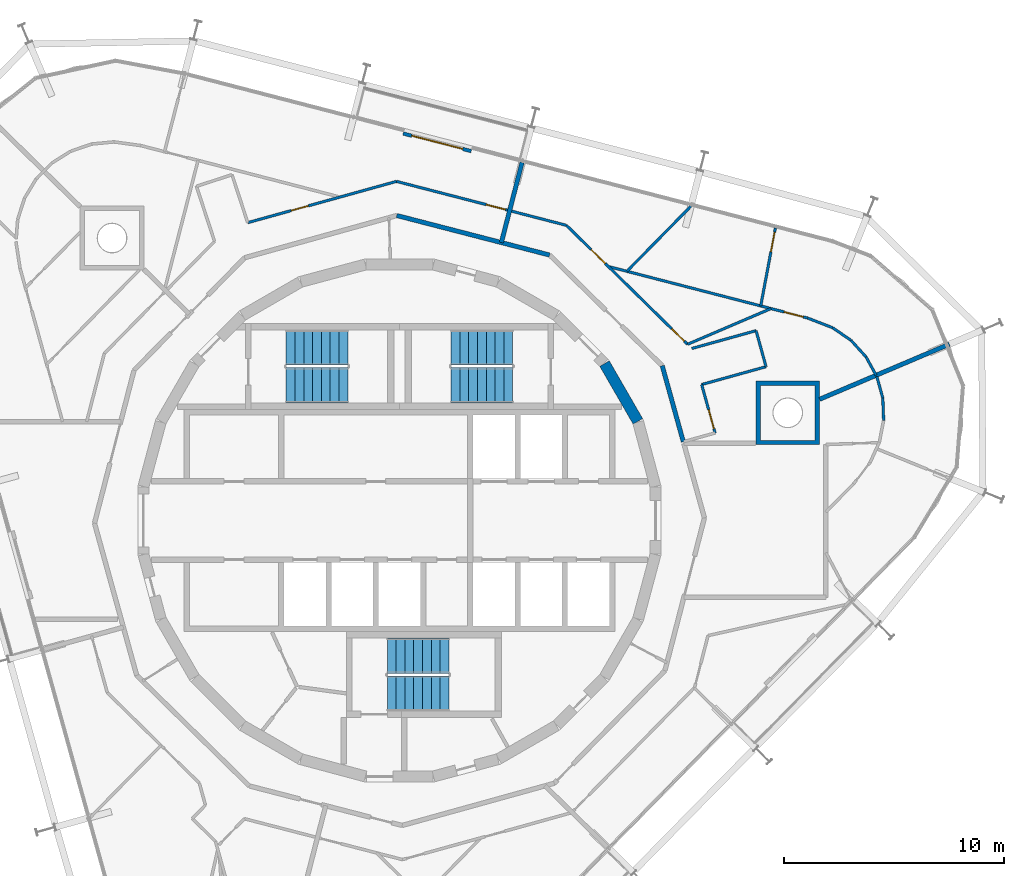
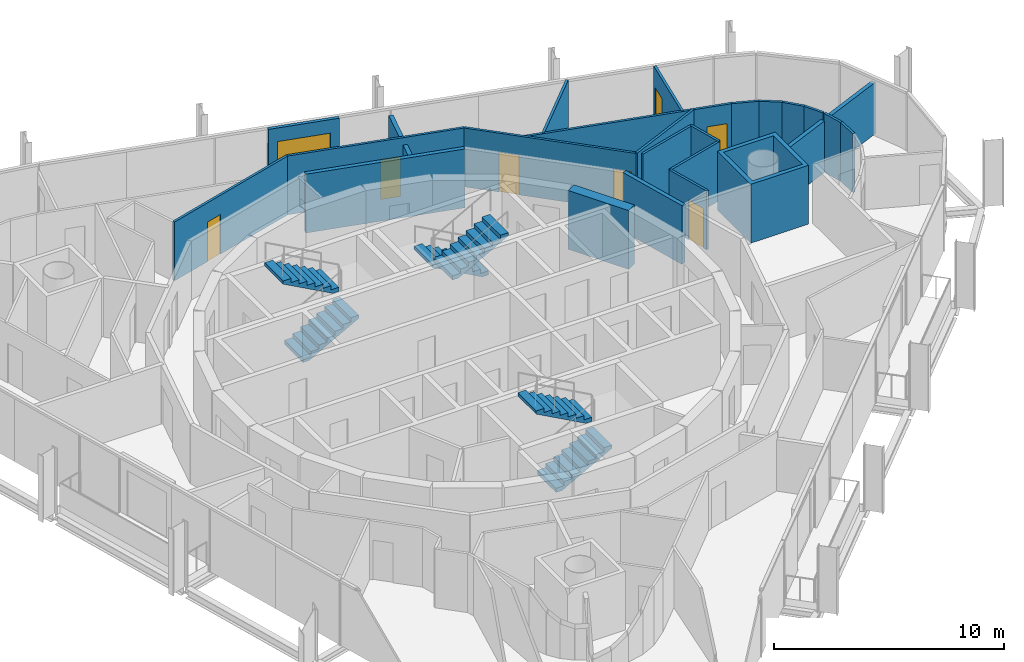
# One storey, part 14 of 15: 24 walls, 8 doors, 6 stair flights, 8 openings, 3 elements without a shape of their own.
"""IFC4 building model written with IfcOpenShell, lengths in metres."""

from ifc_helpers import new_model, si_unit, direction, frame, frame_2d, origin, place, context, subcontext, project, spatial, polyline, rectangle, outline, extrude, material, layer, layer_set, type_object, element, fill, aggregate, save


model = new_model("IFC4")

# Units and contexts
model_context = context("Model", 3, precision=1e-05, world=origin(), true_north=direction((0.0, 1.0)))
body_context = subcontext(model_context, "Body", "Model", "MODEL_VIEW")
ifc_project = project(units=[si_unit("LENGTHUNIT", "METRE"), si_unit("AREAUNIT", "SQUARE_METRE"), si_unit("VOLUMEUNIT", "CUBIC_METRE"), si_unit("PLANEANGLEUNIT", "RADIAN"), si_unit("MASSUNIT", "GRAM", prefix="KILO")], contexts=[model_context])

# Site, building, storey
site_placement = place(None, origin())
site = spatial("IfcSite", under=ifc_project, at=site_placement, CompositionType="ELEMENT")
building_placement = place(site_placement, origin())
building = spatial("IfcBuilding", under=site, at=building_placement, Name="Spindle Arch Residences", CompositionType="ELEMENT")
storey_placement = place(building_placement, frame((0.0, 0.0, 319.199951171875)))
storey = spatial("IfcBuildingStorey", under=building, at=storey_placement, Name="L82", CompositionType="ELEMENT", Elevation=319.199951171875)

# Walls
ifc_material_1 = material(Name="Concrete C50/60", Category="concrete")
ifc_layer_1 = layer(ifc_material_1, 0.5)
ifc_layer_set_1 = layer_set([ifc_layer_1], Name="Core outline wall 500")
wall_type_1 = type_object("IfcWallType", Name="Core outline wall 500", PredefinedType="SHEAR", material=ifc_layer_set_1)
wall_1_placement = place(storey_placement, frame((10.84521484375, 4.510498046875, 0.0), z_axis=(0.0, 0.0, 1.0), x_axis=(-0.500087131594, 0.865975092491, 0.0)))
element("IfcWall", 1, at=wall_1_placement, inside=storey, type_object=wall_type_1, Name="Core outline wall 8", PredefinedType="SHEAR", context=body_context, shape_type="SweptSolid", body=[
    extrude(rectangle(XDim=3.03271484375, YDim=0.5, at=frame_2d((1.516357421875, 0.0))), origin(), (0.0, 0.0, 1.0), 3.1201171875),
])
ifc_material_2 = material(Name="Calcium silicate block, plastered")
ifc_layer_2 = layer(ifc_material_2, 0.199951171875)
ifc_layer_set_2 = layer_set([ifc_layer_2], Name="Corridor wall 200")
wall_type_2 = type_object("IfcWallType", Name="Corridor wall 200", PredefinedType="STANDARD", material=ifc_layer_set_2)
wall_2_placement = place(storey_placement, frame((12.91259765625, 3.5810546875, 0.0), z_axis=(0.0, 0.0, 1.0), x_axis=(-0.267223005422, 0.963634715737, 0.0)))
element("IfcWall", 2, at=wall_2_placement, inside=storey, type_object=wall_type_2, Name="Corridor wall R8C0-W006", PredefinedType="STANDARD", context=body_context, shape_type="SweptSolid", body=[
    extrude(rectangle(XDim=3.590576171875, YDim=0.199951171875, at=frame_2d((1.79541015625, 0.0))), origin(), (0.0, 0.0, 1.0), 3.1201171875),
])
wall_3_placement = place(storey_placement, frame((6.831298828125, 12.07421875, 0.0), z_axis=(0.0, 0.0, 1.0), x_axis=(-0.968144780225, 0.250391063186, 0.0)))
element("IfcWall", 3, at=wall_3_placement, inside=storey, type_object=wall_type_2, Name="Corridor wall R8C0-W008", PredefinedType="STANDARD", context=body_context, shape_type="SweptSolid", body=[
    extrude(rectangle(XDim=7.18115234375, YDim=0.199951171875, at=frame_2d((3.590576171875, 0.0))), origin(), (0.0, 0.0, 1.0), 3.1201171875),
])

# Wall, opening, door
ifc_material_3 = material(Name="Plasterboard on steel studs", Category="steel")
ifc_layer_3 = layer(ifc_material_3, 0.1201171875)
ifc_layer_set_3 = layer_set([ifc_layer_3], Name="Flat partition 120")
wall_type_3 = type_object("IfcWallType", Name="Flat partition 120", PredefinedType="PARTITIONING", material=ifc_layer_set_3)
wall_4_placement = place(storey_placement, frame((14.358154296875, 3.98193359375, 0.0), z_axis=(0.0, 0.0, 1.0), x_axis=(-0.267263698345, 0.963623430364, 0.0)))
wall_4 = element("IfcWall", 4, at=wall_4_placement, inside=storey, type_object=wall_type_3, Name="Flat partition R8C0-W031", PredefinedType="PARTITIONING", context=body_context, shape_type="SweptSolid", body=[
    extrude(rectangle(XDim=2.28564453125, YDim=0.1201171875, at=frame_2d((1.142822265625, 0.0))), origin(), (0.0, 0.0, 1.0), 3.1201171875),
])
opening_1_placement = place(wall_4_placement, frame((0.199951171875, 0.0, 0.0)))
opening_1 = element("IfcOpeningElement", 5, at=opening_1_placement, cuts=wall_4, Name="Opening R8C0-ID01", PredefinedType="OPENING", context=body_context, shape_type="SweptSolid", body=[
    extrude(rectangle(XDim=0.89990234375, YDim=2.10009765625, at=frame_2d((0.449951171875, 1.050048828125))), frame((0.0, 0.070068359375, 0.0), z_axis=(0.0, -1.0, 0.0), x_axis=(1.0, 0.0, 0.0)), (0.0, 0.0, 1.0), 0.14013671875),
])
ifc_material_4 = material(Name="Timber door set", Category="wood")
door_type_1 = type_object("IfcDoorType", Name="Room door 900x2100", OperationType="NOTDEFINED", PredefinedType="DOOR", material=ifc_material_4)
door_1_placement = place(opening_1_placement, origin())
door_1 = element("IfcDoor", 6, at=door_1_placement, inside=storey, type_object=door_type_1, Name="Room door R8C0-ID01", OperationType="SINGLE_SWING_LEFT", OverallHeight=2.10009765625, OverallWidth=0.89990234375, PredefinedType="DOOR", context=body_context, shape_type="SweptSolid", body=[
    extrude(rectangle(XDim=0.89990234375, YDim=2.10009765625, at=frame_2d((0.449951171875, 1.050048828125))), frame((0.0, 0.02490234375, 0.0), z_axis=(0.0, -1.0, 0.0), x_axis=(1.0, 0.0, 0.0)), (0.0, 0.0, 1.0), 0.050048828125),
])
fill(opening_1, door_1)

# Walls
wall_5_placement = place(storey_placement, frame((13.747314453125, 6.184326171875, 0.0), z_axis=(0.0, 0.0, 1.0), x_axis=(0.963620272151, 0.267275085073, 0.0)))
element("IfcWall", 7, at=wall_5_placement, inside=storey, type_object=wall_type_3, Name="Flat partition R8C0-W032", PredefinedType="PARTITIONING", context=body_context, shape_type="SweptSolid", body=[
    extrude(rectangle(XDim=3.0390625, YDim=0.1201171875, at=frame_2d((1.51953125, 0.0))), origin(), (0.0, 0.0, 1.0), 3.1201171875),
])
wall_6_placement = place(storey_placement, frame((16.67578125, 6.99658203125, 0.0), z_axis=(0.0, 0.0, 1.0), x_axis=(-0.267258687102, 0.963624820233, 0.0)))
element("IfcWall", 8, at=wall_6_placement, inside=storey, type_object=wall_type_3, Name="Flat partition R8C0-W033", PredefinedType="PARTITIONING", context=body_context, shape_type="SweptSolid", body=[
    extrude(rectangle(XDim=1.699951171875, YDim=0.1201171875, at=frame_2d((0.85009765625, 0.0))), origin(), (0.0, 0.0, 1.0), 3.1201171875),
])
wall_7_placement = place(storey_placement, frame((16.221435546875, 8.634765625, 0.0), z_axis=(0.0, 0.0, 1.0), x_axis=(-0.963616947452, -0.267287071484, 0.0)))
element("IfcWall", 9, at=wall_7_placement, inside=storey, type_object=wall_type_3, Name="Flat partition R8C0-W034", PredefinedType="PARTITIONING", context=body_context, shape_type="SweptSolid", body=[
    extrude(rectangle(XDim=3.03515625, YDim=0.1201171875, at=frame_2d((1.517578125, 0.0))), origin(), (0.0, 0.0, 1.0), 3.1201171875),
])

# Wall, openings, doors
wall_8_placement = place(storey_placement, frame((13.102783203125, 8.014404296875, 0.0), z_axis=(0.0, 0.0, 1.0), x_axis=(-0.713261822754, 0.700897690253, 0.0)))
wall_8 = element("IfcWall", 10, at=wall_8_placement, inside=storey, type_object=wall_type_3, Name="Flat partition R8C0-W035", PredefinedType="PARTITIONING", context=body_context, shape_type="SweptSolid", body=[
    extrude(rectangle(XDim=7.720703125, YDim=0.1201171875, at=frame_2d((3.8603515625, 0.0))), origin(), (0.0, 0.0, 1.0), 3.1201171875),
])
opening_2_placement = place(wall_8_placement, frame((0.199951171875, 0.0, 0.0)))
opening_2 = element("IfcOpeningElement", 11, at=opening_2_placement, cuts=wall_8, Name="Opening R8C0-BD01", PredefinedType="OPENING", context=body_context, shape_type="SweptSolid", body=[
    extrude(rectangle(XDim=0.800048828125, YDim=2.10009765625, at=frame_2d((0.39990234375, 1.050048828125))), frame((0.0, 0.070068359375, 0.0), z_axis=(0.0, -1.0, 0.0), x_axis=(1.0, 0.0, 0.0)), (0.0, 0.0, 1.0), 0.14013671875),
])
opening_3_placement = place(wall_8_placement, frame((5.25, 0.0, 0.0)))
opening_3 = element("IfcOpeningElement", 12, at=opening_3_placement, cuts=wall_8, Name="Opening R8C0-ID02", PredefinedType="OPENING", context=body_context, shape_type="SweptSolid", body=[
    extrude(rectangle(XDim=0.89990234375, YDim=2.10009765625, at=frame_2d((0.449951171875, 1.050048828125))), frame((0.0, 0.070068359375, 0.0), z_axis=(0.0, -1.0, 0.0), x_axis=(1.0, 0.0, 0.0)), (0.0, 0.0, 1.0), 0.14013671875),
])
ifc_material_5 = material(Name="Timber door set", Category="wood")
door_type_2 = type_object("IfcDoorType", Name="Bathroom door 800x2100", OperationType="NOTDEFINED", PredefinedType="DOOR", material=ifc_material_5)
door_2_placement = place(opening_2_placement, origin())
door_2 = element("IfcDoor", 13, at=door_2_placement, inside=storey, type_object=door_type_2, Name="Bathroom door R8C0-BD01", OperationType="SINGLE_SWING_LEFT", OverallHeight=2.10009765625, OverallWidth=0.800048828125, PredefinedType="DOOR", context=body_context, shape_type="SweptSolid", body=[
    extrude(rectangle(XDim=0.800048828125, YDim=2.10009765625, at=frame_2d((0.39990234375, 1.050048828125))), frame((0.0, 0.02490234375, 0.0), z_axis=(0.0, -1.0, 0.0), x_axis=(1.0, 0.0, 0.0)), (0.0, 0.0, 1.0), 0.050048828125),
])
fill(opening_2, door_2)
door_3_placement = place(opening_3_placement, origin())
door_3 = element("IfcDoor", 14, at=door_3_placement, inside=storey, type_object=door_type_1, Name="Room door R8C0-ID02", OperationType="SINGLE_SWING_LEFT", OverallHeight=2.10009765625, OverallWidth=0.89990234375, PredefinedType="DOOR", context=body_context, shape_type="SweptSolid", body=[
    extrude(rectangle(XDim=0.89990234375, YDim=2.10009765625, at=frame_2d((0.449951171875, 1.050048828125))), frame((0.0, 0.02490234375, 0.0), z_axis=(0.0, -1.0, 0.0), x_axis=(1.0, 0.0, 0.0)), (0.0, 0.0, 1.0), 0.050048828125),
])
fill(opening_3, door_3)

# Wall, opening, door
wall_9_placement = place(storey_placement, frame((7.595947265625, 13.42578125, 0.0), z_axis=(0.0, 0.0, 1.0), x_axis=(-0.968146656033, 0.250383810203, 0.0)))
wall_9 = element("IfcWall", 15, at=wall_9_placement, inside=storey, type_object=wall_type_3, Name="Flat partition R8C0-W036", PredefinedType="PARTITIONING", context=body_context, shape_type="SweptSolid", body=[
    extrude(rectangle(XDim=7.98486328125, YDim=0.1201171875, at=frame_2d((3.992431640625, 0.0))), origin(), (0.0, 0.0, 1.0), 3.1201171875),
])
opening_4_placement = place(wall_9_placement, frame((2.869873046875, 0.0, 0.0)))
opening_4 = element("IfcOpeningElement", 16, at=opening_4_placement, cuts=wall_9, Name="Opening R8C0-ID05", PredefinedType="OPENING", context=body_context, shape_type="SweptSolid", body=[
    extrude(rectangle(XDim=0.89990234375, YDim=2.10009765625, at=frame_2d((0.449951171875, 1.050048828125))), frame((0.0, 0.070068359375, 0.0), z_axis=(0.0, -1.0, 0.0), x_axis=(1.0, 0.0, 0.0)), (0.0, 0.0, 1.0), 0.14013671875),
])
door_4_placement = place(opening_4_placement, origin())
door_4 = element("IfcDoor", 17, at=door_4_placement, inside=storey, type_object=door_type_1, Name="Room door R8C0-ID05", OperationType="SINGLE_SWING_LEFT", OverallHeight=2.10009765625, OverallWidth=0.89990234375, PredefinedType="DOOR", context=body_context, shape_type="SweptSolid", body=[
    extrude(rectangle(XDim=0.89990234375, YDim=2.10009765625, at=frame_2d((0.449951171875, 1.050048828125))), frame((0.0, 0.02490234375, 0.0), z_axis=(0.0, -1.0, 0.0), x_axis=(1.0, 0.0, 0.0)), (0.0, 0.0, 1.0), 0.050048828125),
])
fill(opening_4, door_4)

# Walls
wall_10_placement = place(storey_placement, frame((21.68359375, 6.60546875, 0.0), z_axis=(0.0, 0.0, 1.0), x_axis=(-0.482263369205, 0.876026279699, 0.0)))
element("IfcWall", 18, at=wall_10_placement, inside=storey, type_object=wall_type_3, Name="Flat partition R8C0-W037", PredefinedType="PARTITIONING", context=body_context, shape_type="SweptSolid", body=[
    extrude(rectangle(XDim=0.95166015625, YDim=0.1201171875, at=frame_2d((0.475830078125, 0.0))), origin(), (0.0, 0.0, 1.0), 3.1201171875),
])
for number, where, z_axis, x_axis, name in (
    (19, (21.224609375, 7.439208984375, 0.0), (0.0, 0.0, 1.0), (-0.671271958664, 0.741211142328, 0.0), "Flat partition R8C0-W038"),
    (20, (20.542724609375, 8.192138671875, 0.0), (0.0, 0.0, 1.0), (-0.824091007041, 0.566457423037, 0.0), "Flat partition R8C0-W039"),
):
    element("IfcWall", number, at=place(storey_placement, frame(where, z_axis=z_axis, x_axis=x_axis)), inside=storey, type_object=wall_type_3, Name=name, PredefinedType="PARTITIONING", context=body_context, shape_type="SweptSolid", body=[
        extrude(rectangle(XDim=1.015869140625, YDim=0.1201171875, at=frame_2d((0.5078125, 0.0))), origin(), (0.0, 0.0, 1.0), 3.1201171875),
    ])
wall_11_placement = place(storey_placement, frame((19.70556640625, 8.767578125, 0.0), z_axis=(0.0, 0.0, 1.0), x_axis=(-0.932522717361, 0.361111314702, 0.0)))
element("IfcWall", 21, at=wall_11_placement, inside=storey, type_object=wall_type_3, Name="Flat partition R8C0-W040", PredefinedType="PARTITIONING", context=body_context, shape_type="SweptSolid", body=[
    extrude(rectangle(XDim=1.22705078125, YDim=0.1201171875, at=frame_2d((0.613525390625, 0.0))), origin(), (0.0, 0.0, 1.0), 3.1201171875),
])

# Wall, opening, door
wall_12_placement = place(storey_placement, frame((18.561279296875, 9.210693359375, 0.0), z_axis=(0.0, 0.0, 1.0), x_axis=(-0.968146475492, 0.250384508293, 0.0)))
wall_12 = element("IfcWall", 22, at=wall_12_placement, inside=storey, type_object=wall_type_3, Name="Flat partition R8C0-W041", PredefinedType="PARTITIONING", context=body_context, shape_type="SweptSolid", body=[
    extrude(rectangle(XDim=9.358642578125, YDim=0.1201171875, at=frame_2d((4.67919921875, 0.0))), origin(), (0.0, 0.0, 1.0), 3.1201171875),
])
opening_5_placement = place(wall_12_placement, frame((0.199951171875, 0.0, 0.0)))
opening_5 = element("IfcOpeningElement", 23, at=opening_5_placement, cuts=wall_12, Name="Opening R8C0-ID03", PredefinedType="OPENING", context=body_context, shape_type="SweptSolid", body=[
    extrude(rectangle(XDim=0.89990234375, YDim=2.10009765625, at=frame_2d((0.449951171875, 1.050048828125))), frame((0.0, 0.070068359375, 0.0), z_axis=(0.0, -1.0, 0.0), x_axis=(1.0, 0.0, 0.0)), (0.0, 0.0, 1.0), 0.14013671875),
])
door_5_placement = place(opening_5_placement, origin())
door_5 = element("IfcDoor", 24, at=door_5_placement, inside=storey, type_object=door_type_1, Name="Room door R8C0-ID03", OperationType="SINGLE_SWING_LEFT", OverallHeight=2.10009765625, OverallWidth=0.89990234375, PredefinedType="DOOR", context=body_context, shape_type="SweptSolid", body=[
    extrude(rectangle(XDim=0.89990234375, YDim=2.10009765625, at=frame_2d((0.449951171875, 1.050048828125))), frame((0.0, 0.02490234375, 0.0), z_axis=(0.0, -1.0, 0.0), x_axis=(1.0, 0.0, 0.0)), (0.0, 0.0, 1.0), 0.050048828125),
])
fill(opening_5, door_5)

# Wall
wall_13_placement = place(storey_placement, frame((16.901611328125, 9.639892578125, 0.0), z_axis=(0.0, 0.0, 1.0), x_axis=(-0.919371033545, -0.393391538647, 0.0)))
element("IfcWall", 25, at=wall_13_placement, inside=storey, type_object=wall_type_3, Name="Flat partition R8C0-W042", PredefinedType="PARTITIONING", context=body_context, shape_type="SweptSolid", body=[
    extrude(rectangle(XDim=4.132080078125, YDim=0.1201171875, at=frame_2d((2.06591796875, 0.0))), origin(), (0.0, 0.0, 1.0), 3.1201171875),
])

# Wall, opening, door
wall_14_placement = place(storey_placement, frame((17.1015625, 13.306640625, 0.0), z_axis=(0.0, 0.0, 1.0), x_axis=(-0.185134164105, -0.982713254862, 0.0)))
wall_14 = element("IfcWall", 26, at=wall_14_placement, inside=storey, type_object=wall_type_3, Name="Flat partition R8C0-W043", PredefinedType="PARTITIONING", context=body_context, shape_type="SweptSolid", body=[
    extrude(rectangle(XDim=3.60791015625, YDim=0.1201171875, at=frame_2d((1.803955078125, 0.0))), origin(), (0.0, 0.0, 1.0), 3.1201171875),
])
opening_6_placement = place(wall_14_placement, frame((0.199951171875, 0.0, 0.0)))
opening_6 = element("IfcOpeningElement", 27, at=opening_6_placement, cuts=wall_14, Name="Opening R8C0-ID04", PredefinedType="OPENING", context=body_context, shape_type="SweptSolid", body=[
    extrude(rectangle(XDim=0.89990234375, YDim=2.10009765625, at=frame_2d((0.449951171875, 1.050048828125))), frame((0.0, 0.070068359375, 0.0), z_axis=(0.0, -1.0, 0.0), x_axis=(1.0, 0.0, 0.0)), (0.0, 0.0, 1.0), 0.14013671875),
])
door_6_placement = place(opening_6_placement, origin())
door_6 = element("IfcDoor", 28, at=door_6_placement, inside=storey, type_object=door_type_1, Name="Room door R8C0-ID04", OperationType="SINGLE_SWING_RIGHT", OverallHeight=2.10009765625, OverallWidth=0.89990234375, PredefinedType="DOOR", context=body_context, shape_type="SweptSolid", body=[
    extrude(rectangle(XDim=0.89990234375, YDim=2.10009765625, at=frame_2d((0.449951171875, 1.050048828125))), frame((0.0, 0.02490234375, 0.0), z_axis=(0.0, -1.0, 0.0), x_axis=(1.0, 0.0, 0.0)), (0.0, 0.0, 1.0), 0.050048828125),
])
fill(opening_6, door_6)

# Wall
wall_15_placement = place(storey_placement, frame((13.260498046875, 14.300048828125, 0.0), z_axis=(0.0, 0.0, 1.0), x_axis=(-0.700942858884, -0.713217434293, 0.0)))
element("IfcWall", 29, at=wall_15_placement, inside=storey, type_object=wall_type_3, Name="Flat partition R8C0-W044", PredefinedType="PARTITIONING", context=body_context, shape_type="SweptSolid", body=[
    extrude(rectangle(XDim=4.156982421875, YDim=0.1201171875, at=frame_2d((2.07861328125, 0.0))), origin(), (0.0, 0.0, 1.0), 3.1201171875),
])

# Wall, opening, door
wall_16_placement = place(storey_placement, frame((-0.134521484375, 15.425048828125, 0.0), z_axis=(0.0, 0.0, 1.0), x_axis=(-0.963625407294, -0.267256570392, 0.0)))
wall_16 = element("IfcWall", 30, at=wall_16_placement, inside=storey, type_object=wall_type_3, Name="Flat partition R8C0-W045", PredefinedType="PARTITIONING", context=body_context, shape_type="SweptSolid", body=[
    extrude(rectangle(XDim=7.02294921875, YDim=0.1201171875, at=frame_2d((3.511474609375, 0.0))), origin(), (0.0, 0.0, 1.0), 3.1201171875),
])
opening_7_placement = place(wall_16_placement, frame((4.170654296875, 0.0, 0.0)))
opening_7 = element("IfcOpeningElement", 31, at=opening_7_placement, cuts=wall_16, Name="Opening R8C0-BD02", PredefinedType="OPENING", context=body_context, shape_type="SweptSolid", body=[
    extrude(rectangle(XDim=0.800048828125, YDim=2.10009765625, at=frame_2d((0.39990234375, 1.050048828125))), frame((0.0, 0.070068359375, 0.0), z_axis=(0.0, -1.0, 0.0), x_axis=(1.0, 0.0, 0.0)), (0.0, 0.0, 1.0), 0.14013671875),
])
door_7_placement = place(opening_7_placement, origin())
door_7 = element("IfcDoor", 32, at=door_7_placement, inside=storey, type_object=door_type_2, Name="Bathroom door R8C0-BD02", OperationType="SINGLE_SWING_RIGHT", OverallHeight=2.10009765625, OverallWidth=0.800048828125, PredefinedType="DOOR", context=body_context, shape_type="SweptSolid", body=[
    extrude(rectangle(XDim=0.800048828125, YDim=2.10009765625, at=frame_2d((0.39990234375, 1.050048828125))), frame((0.0, 0.02490234375, 0.0), z_axis=(0.0, -1.0, 0.0), x_axis=(1.0, 0.0, 0.0)), (0.0, 0.0, 1.0), 0.050048828125),
])
fill(opening_7, door_7)

# Walls
for number, where, z_axis, x_axis, name in (
    (33, (21.714599609375, 6.549072265625, 0.0), (0.0, 0.0, 1.0), (0.267222438577, -0.963634872927, 0.0), "Flat partition R8C0-W102"),
    (34, (21.986083984375, 5.570068359375, 0.0), (0.0, 0.0, 1.0), (0.037971633756, -0.999278817463, 0.0), "Flat partition R8C0-W103"),
):
    element("IfcWall", number, at=place(storey_placement, frame(where, z_axis=z_axis, x_axis=x_axis)), inside=storey, type_object=wall_type_3, Name=name, PredefinedType="PARTITIONING", context=body_context, shape_type="SweptSolid", body=[
        extrude(rectangle(XDim=1.015869140625, YDim=0.1201171875, at=frame_2d((0.5078125, 0.0))), origin(), (0.0, 0.0, 1.0), 3.1201171875),
    ])
ifc_material_6 = material(Name="Calcium silicate block, plastered")
ifc_layer_4 = layer(ifc_material_6, 0.199951171875)
ifc_layer_set_4 = layer_set([ifc_layer_4], Name="Flat party wall 200 under beam 2730")
wall_type_4 = type_object("IfcWallType", Name="Flat party wall 200 under beam 2730", PredefinedType="STANDARD", material=ifc_layer_set_4)
wall_17_placement = place(storey_placement, frame((5.578125, 16.286865234375, 0.0), z_axis=(0.0, 0.0, 1.0), x_axis=(-0.250385965992, -0.968146098497, 0.0)))
element("IfcWall", 35, at=wall_17_placement, inside=storey, type_object=wall_type_4, Name="Flat party wall R8C0-W022", PredefinedType="STANDARD", context=body_context, shape_type="SweptSolid", body=[
    extrude(rectangle(XDim=3.7646484375, YDim=0.199951171875, at=frame_2d((1.88232421875, 0.0))), origin(), (0.0, 0.0, 1.0), 2.72998046875),
])
wall_18_placement = place(storey_placement, frame((19.112548828125, 5.513916015625, 0.0), z_axis=(0.0, 0.0, 1.0), x_axis=(0.920500452946, 0.390741495269, 0.0)))
element("IfcWall", 36, at=wall_18_placement, inside=storey, type_object=wall_type_4, Name="Flat party wall R8C0-W023", PredefinedType="STANDARD", context=body_context, shape_type="SweptSolid", body=[
    extrude(rectangle(XDim=6.411865234375, YDim=0.199951171875, at=frame_2d((3.2060546875, 0.0))), origin(), (0.0, 0.0, 1.0), 2.72998046875),
])

# Wall, opening, door
ifc_material_7 = material(Name="Non-combustible mineral wool insulated aluminium faced external wall (K0)", Category="aluminium")
ifc_layer_5 = layer(ifc_material_7, 0.159912109375)
ifc_layer_set_5 = layer_set([ifc_layer_5], Name="Insulated external wall panel 160")
wall_type_5 = type_object("IfcWallType", Name="Insulated external wall panel 160", PredefinedType="STANDARD", material=ifc_layer_set_5)
wall_19_placement = place(storey_placement, frame((3.265869140625, 16.802001953125, 0.0), z_axis=(0.0, 0.0, 1.0), x_axis=(-0.968144998439, 0.250390219454, 0.0)))
wall_19 = element("IfcWall", 37, at=wall_19_placement, inside=storey, type_object=wall_type_5, Name="External wall L82 bay 7", PredefinedType="STANDARD", context=body_context, shape_type="SweptSolid", body=[
    extrude(rectangle(XDim=3.2001953125, YDim=0.159912109375, at=frame_2d((1.60009765625, 0.0))), origin(), (0.0, 0.0, 1.0), 3.1201171875),
])
opening_8_placement = place(wall_19_placement, frame((0.39990234375, 0.0, 0.0)))
opening_8 = element("IfcOpeningElement", 38, at=opening_8_placement, cuts=wall_19, Name="Opening BD07", PredefinedType="OPENING", context=body_context, shape_type="SweptSolid", body=[
    extrude(rectangle(XDim=2.39990234375, YDim=2.39990234375, at=frame_2d((1.199951171875, 1.199951171875))), frame((0.0, 0.08984375, 0.0), z_axis=(0.0, -1.0, 0.0), x_axis=(1.0, 0.0, 0.0)), (0.0, 0.0, 1.0), 0.179931640625),
])
ifc_material_8 = material(Name="Bronze aluminium frame, tinted double glazing", Category="aluminium")
door_type_3 = type_object("IfcDoorType", Name="Sliding glazed balcony door 2400x2400", OperationType="DOUBLE_DOOR_SLIDING", PredefinedType="DOOR", material=ifc_material_8)
door_8_placement = place(opening_8_placement, origin())
door_8 = element("IfcDoor", 39, at=door_8_placement, inside=storey, type_object=door_type_3, Name="Balcony door BD07", OperationType="DOUBLE_DOOR_SLIDING", OverallHeight=2.39990234375, OverallWidth=2.39990234375, PredefinedType="DOOR", context=body_context, shape_type="SweptSolid", body=[
    extrude(rectangle(XDim=2.39990234375, YDim=2.39990234375, at=frame_2d((1.199951171875, 1.199951171875))), frame((0.0, 0.02490234375, 0.0), z_axis=(0.0, -1.0, 0.0), x_axis=(1.0, 0.0, 0.0)), (0.0, 0.0, 1.0), 0.050048828125),
])
fill(opening_8, door_8)

# Wall
ifc_material_9 = material(Name="Calcium silicate block, plastered")
ifc_layer_6 = layer(ifc_material_9, 0.199951171875)
ifc_layer_set_6 = layer_set([ifc_layer_6], Name="Mega-column casing wall 200")
wall_type_6 = type_object("IfcWallType", Name="Mega-column casing wall 200", PredefinedType="STANDARD", material=ifc_layer_set_6)
wall_20_placement = place(storey_placement, origin())
element("IfcWall", 40, at=wall_20_placement, inside=storey, type_object=wall_type_6, Name="Mega-column casing wall R8C0-WC01", PredefinedType="STANDARD", context=body_context, shape_type="SweptSolid", body=[
    extrude(outline(polyline([(19.112548828125, 6.348388671875), (19.112548828125, 3.4482421875), (16.212646484375, 3.4482421875), (16.212646484375, 6.348388671875), (19.112548828125, 6.348388671875)]), holes=[polyline([(16.41259765625, 3.648193359375), (18.91259765625, 3.648193359375), (18.91259765625, 6.148193359375), (16.41259765625, 6.148193359375), (16.41259765625, 3.648193359375)])]), origin(), (0.0, 0.0, 1.0), 3.1201171875),
])

# Stair, stair flights
ifc_material_10 = material(Name="Concrete C50/60", Category="concrete")
stair_type = type_object("IfcStairType", Name="Exit stair 16 risers", PredefinedType="HALF_TURN_STAIR", material=ifc_material_10)
stair_1_placement = place(storey_placement, origin())
stair_1 = element("IfcStair", 41, at=stair_1_placement, inside=storey, type_object=stair_type, Name="L82 Exit stair ST1", PredefinedType="HALF_TURN_STAIR")
ifc_material_11 = material(Name="Concrete C50/60", Category="concrete")
stair_flight_type = type_object("IfcStairFlightType", Name="Exit stair flight", PredefinedType="STRAIGHT", material=ifc_material_11)
stair_flight_1_placement = place(storey_placement, frame((5.14990234375, 7.8701171875, 0.0), z_axis=(0.0, 0.0, 1.0), x_axis=(-1.0, 0.0, 0.0)))
stair_flight_1 = element("IfcStairFlight", 42, at=stair_flight_1_placement, type_object=stair_flight_type, Name="ST1 flight 1", NumberOfRisers=8, NumberOfTreads=7, PredefinedType="STRAIGHT", RiserHeight=0.21875, TreadLength=0.4, context=body_context, shape_type="SweptSolid", body=[
    extrude(outline(polyline([(0.0, 0.0), (0.0, 0.21875), (0.39990234375, 0.21875), (0.39990234375, 0.4375), (0.800048828125, 0.4375), (0.800048828125, 0.65625), (1.199951171875, 0.65625), (1.199951171875, 0.875), (1.60009765625, 0.875), (1.60009765625, 1.09375), (2.0, 1.09375), (2.0, 1.3125), (2.39990234375, 1.3125), (2.39990234375, 1.53125), (2.800048828125, 1.53125), (2.800048828125, 1.75), (2.800048828125, 1.3603515625), (0.3125, 0.0), (0.0, 0.0)])), frame((0.0, 0.800048828125, 0.0), z_axis=(0.0, -1.0, 0.0), x_axis=(1.0, 0.0, 0.0)), (0.0, 0.0, 1.0), 1.60009765625),
])
stair_flight_2_placement = place(storey_placement, frame((2.35009765625, 6.14990234375, 1.75), z_axis=(0.0, 0.0, 1.0), x_axis=(1.0, 0.0, 0.0)))
stair_flight_2 = element("IfcStairFlight", 43, at=stair_flight_2_placement, type_object=stair_flight_type, Name="ST1 flight 2", NumberOfRisers=8, NumberOfTreads=7, PredefinedType="STRAIGHT", RiserHeight=0.21875, TreadLength=0.4, context=body_context, shape_type="SweptSolid", body=[
    extrude(outline(polyline([(0.0, 0.0), (0.0, 0.21875), (0.39990234375, 0.21875), (0.39990234375, 0.4375), (0.800048828125, 0.4375), (0.800048828125, 0.65625), (1.199951171875, 0.65625), (1.199951171875, 0.875), (1.60009765625, 0.875), (1.60009765625, 1.09375), (2.0, 1.09375), (2.0, 1.3125), (2.39990234375, 1.3125), (2.39990234375, 1.53125), (2.800048828125, 1.53125), (2.800048828125, 1.75), (2.800048828125, 1.3603515625), (0.3125, 0.0), (0.0, 0.0)])), frame((0.0, 0.800048828125, 0.0), z_axis=(0.0, -1.0, 0.0), x_axis=(1.0, 0.0, 0.0)), (0.0, 0.0, 1.0), 1.60009765625),
])
aggregate(stair_1, [stair_flight_1, stair_flight_2])

stair_2_placement = place(storey_placement, origin())
stair_2 = element("IfcStair", 44, at=stair_2_placement, inside=storey, type_object=stair_type, Name="L82 Exit stair ST2", PredefinedType="HALF_TURN_STAIR")
stair_flight_3_placement = place(storey_placement, frame((-5.14990234375, 6.14990234375, 0.0), z_axis=(0.0, 0.0, 1.0), x_axis=(1.0, 0.0, 0.0)))
stair_flight_3 = element("IfcStairFlight", 45, at=stair_flight_3_placement, type_object=stair_flight_type, Name="ST2 flight 1", NumberOfRisers=8, NumberOfTreads=7, PredefinedType="STRAIGHT", RiserHeight=0.21875, TreadLength=0.4, context=body_context, shape_type="SweptSolid", body=[
    extrude(outline(polyline([(0.0, 0.0), (0.0, 0.21875), (0.39990234375, 0.21875), (0.39990234375, 0.4375), (0.800048828125, 0.4375), (0.800048828125, 0.65625), (1.199951171875, 0.65625), (1.199951171875, 0.875), (1.60009765625, 0.875), (1.60009765625, 1.09375), (2.0, 1.09375), (2.0, 1.3125), (2.39990234375, 1.3125), (2.39990234375, 1.53125), (2.800048828125, 1.53125), (2.800048828125, 1.75), (2.800048828125, 1.3603515625), (0.3125, 0.0), (0.0, 0.0)])), frame((0.0, 0.800048828125, 0.0), z_axis=(0.0, -1.0, 0.0), x_axis=(1.0, 0.0, 0.0)), (0.0, 0.0, 1.0), 1.60009765625),
])
stair_flight_4_placement = place(storey_placement, frame((-2.35009765625, 7.8701171875, 1.75), z_axis=(0.0, 0.0, 1.0), x_axis=(-1.0, 0.0, 0.0)))
stair_flight_4 = element("IfcStairFlight", 46, at=stair_flight_4_placement, type_object=stair_flight_type, Name="ST2 flight 2", NumberOfRisers=8, NumberOfTreads=7, PredefinedType="STRAIGHT", RiserHeight=0.21875, TreadLength=0.4, context=body_context, shape_type="SweptSolid", body=[
    extrude(outline(polyline([(0.0, 0.0), (0.0, 0.21875), (0.39990234375, 0.21875), (0.39990234375, 0.4375), (0.800048828125, 0.4375), (0.800048828125, 0.65625), (1.199951171875, 0.65625), (1.199951171875, 0.875), (1.60009765625, 0.875), (1.60009765625, 1.09375), (2.0, 1.09375), (2.0, 1.3125), (2.39990234375, 1.3125), (2.39990234375, 1.53125), (2.800048828125, 1.53125), (2.800048828125, 1.75), (2.800048828125, 1.3603515625), (0.3125, 0.0), (0.0, 0.0)])), frame((0.0, 0.800048828125, 0.0), z_axis=(0.0, -1.0, 0.0), x_axis=(1.0, 0.0, 0.0)), (0.0, 0.0, 1.0), 1.60009765625),
])
aggregate(stair_2, [stair_flight_3, stair_flight_4])

stair_3_placement = place(storey_placement, origin())
stair_3 = element("IfcStair", 47, at=stair_3_placement, inside=storey, type_object=stair_type, Name="L82 Exit stair ST3", PredefinedType="HALF_TURN_STAIR")
stair_flight_5_placement = place(storey_placement, frame((-0.550048828125, -7.8701171875, 0.0), z_axis=(0.0, 0.0, 1.0), x_axis=(1.0, 0.0, 0.0)))
stair_flight_5 = element("IfcStairFlight", 48, at=stair_flight_5_placement, type_object=stair_flight_type, Name="ST3 flight 1", NumberOfRisers=8, NumberOfTreads=7, PredefinedType="STRAIGHT", RiserHeight=0.21875, TreadLength=0.4, context=body_context, shape_type="SweptSolid", body=[
    extrude(outline(polyline([(0.0, 0.0), (0.0, 0.21875), (0.39990234375, 0.21875), (0.39990234375, 0.4375), (0.800048828125, 0.4375), (0.800048828125, 0.65625), (1.199951171875, 0.65625), (1.199951171875, 0.875), (1.60009765625, 0.875), (1.60009765625, 1.09375), (2.0, 1.09375), (2.0, 1.3125), (2.39990234375, 1.3125), (2.39990234375, 1.53125), (2.800048828125, 1.53125), (2.800048828125, 1.75), (2.800048828125, 1.3603515625), (0.3125, 0.0), (0.0, 0.0)])), frame((0.0, 0.800048828125, 0.0), z_axis=(0.0, -1.0, 0.0), x_axis=(1.0, 0.0, 0.0)), (0.0, 0.0, 1.0), 1.60009765625),
])
stair_flight_6_placement = place(storey_placement, frame((2.25, -6.14990234375, 1.75), z_axis=(0.0, 0.0, 1.0), x_axis=(-1.0, 0.0, 0.0)))
stair_flight_6 = element("IfcStairFlight", 49, at=stair_flight_6_placement, type_object=stair_flight_type, Name="ST3 flight 2", NumberOfRisers=8, NumberOfTreads=7, PredefinedType="STRAIGHT", RiserHeight=0.21875, TreadLength=0.4, context=body_context, shape_type="SweptSolid", body=[
    extrude(outline(polyline([(0.0, 0.0), (0.0, 0.21875), (0.39990234375, 0.21875), (0.39990234375, 0.4375), (0.800048828125, 0.4375), (0.800048828125, 0.65625), (1.199951171875, 0.65625), (1.199951171875, 0.875), (1.60009765625, 0.875), (1.60009765625, 1.09375), (2.0, 1.09375), (2.0, 1.3125), (2.39990234375, 1.3125), (2.39990234375, 1.53125), (2.800048828125, 1.53125), (2.800048828125, 1.75), (2.800048828125, 1.3603515625), (0.3125, 0.0), (0.0, 0.0)])), frame((0.0, 0.800048828125, 0.0), z_axis=(0.0, -1.0, 0.0), x_axis=(1.0, 0.0, 0.0)), (0.0, 0.0, 1.0), 1.60009765625),
])
aggregate(stair_3, [stair_flight_5, stair_flight_6])

save(model, "model.ifc")
